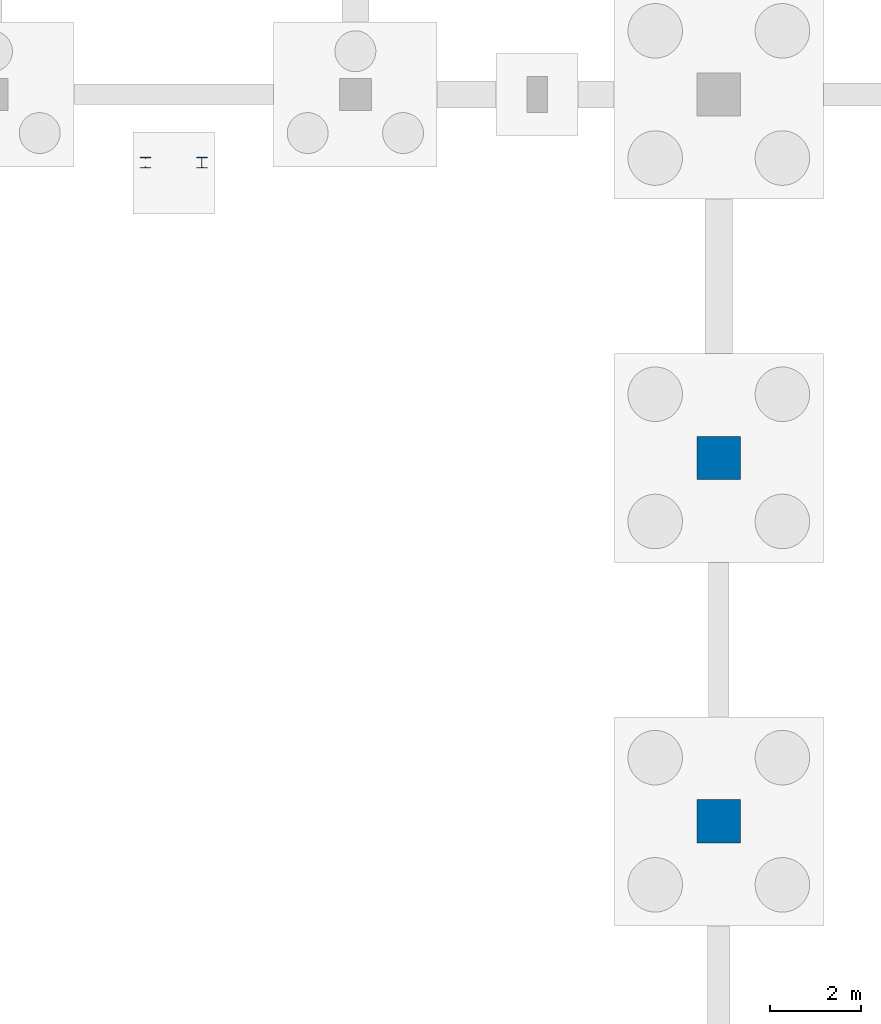
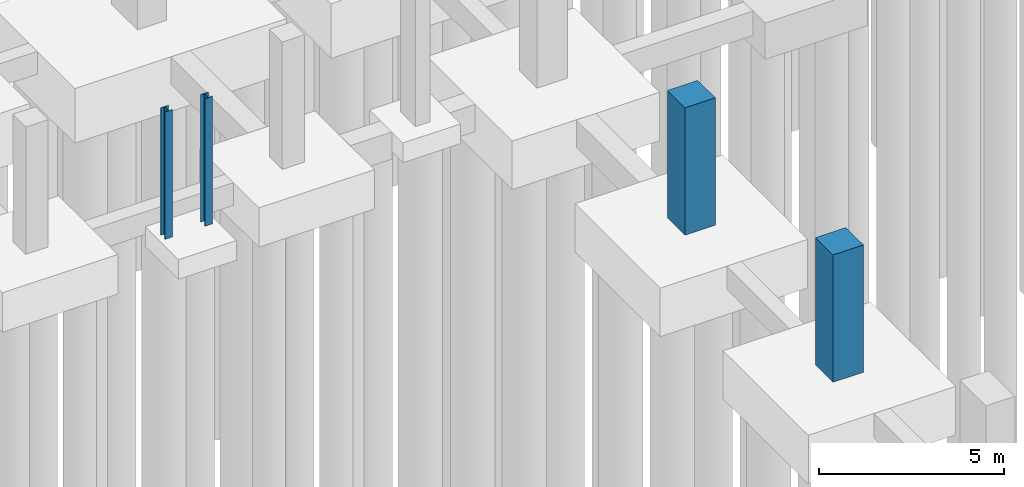
# One storey, part 13 of 32: 4 columns.
"""IFC4 building model written with IfcOpenShell, lengths in metres."""

import ifcopenshell
import ifcopenshell.guid

model = None  # the IFC model being written
_history = None  # IfcOwnerHistory: only IFC2X3 demands one
_inside = {}  # id of a spatial element -> (the spatial element, [elements in it])
_under = {}  # id of a project, library or spatial element -> (it, [spatial elements below it])
_declared = {}  # id of a project -> (the project, [libraries it declares])
_typed = {}  # id of a type object -> (the type object, [elements of that type])
_made_of = {}  # id of a material, layer set ... -> (it, [elements and type objects made of it])


def new_model(schema):
    """Start an empty IFC model of exactly this schema.

    Asked for "IFC4X3", IfcOpenShell would pick the latest addendum, in which some entities
    have other attributes; the version numbers below select the first issue.
    IFC2X3 requires an IfcOwnerHistory on every rooted entity: one is made here for all.
    """
    global model, _history
    if schema == "IFC4X3":
        model = ifcopenshell.file(schema_version=(4, 3, 0, 0))
    else:
        model = ifcopenshell.file(schema=schema)
    _inside.clear()
    _under.clear()
    _declared.clear()
    _typed.clear()
    _made_of.clear()
    _history = None
    if model.schema == "IFC2X3":
        org = make("IfcOrganization", Name="unknown")
        user = make(
            "IfcPersonAndOrganization",
            ThePerson=make("IfcPerson", FamilyName="unknown"),
            TheOrganization=org,
        )
        app = make(
            "IfcApplication",
            ApplicationDeveloper=org,
            Version="unknown",
            ApplicationFullName="unknown",
            ApplicationIdentifier="unknown",
        )
        _history = make(
            "IfcOwnerHistory",
            OwningUser=user,
            OwningApplication=app,
            ChangeAction="ADDED",
            CreationDate=0,
        )
    return model


def make(cls, **values):
    """One entity of the class cls with the attributes given. An attribute that is None is left unset."""
    return model.create_entity(
        cls, **{name: value for name, value in values.items() if value is not None}
    )


def rooted(cls, **values):
    """An entity with a GlobalId (a new one), such as an element, a storey or a relation."""
    return make(cls, GlobalId=ifcopenshell.guid.new(), OwnerHistory=_history, **values)


def si_unit(unit_type, name, prefix=None):
    """IfcSIUnit, for example si_unit("LENGTHUNIT", "METRE", prefix="MILLI")."""
    return make("IfcSIUnit", UnitType=unit_type, Prefix=prefix, Name=name)


def assignment(units):
    """IfcUnitAssignment: the units of a project."""
    return None if units is None else make("IfcUnitAssignment", Units=units)


def point(xyz):
    """IfcCartesianPoint."""
    return None if xyz is None else make("IfcCartesianPoint", Coordinates=xyz)


def direction(xyz):
    """IfcDirection."""
    return None if xyz is None else make("IfcDirection", DirectionRatios=xyz)


def frame(location, z_axis=None, x_axis=None):
    """IfcAxis2Placement3D, a coordinate frame: its origin and axes. An axis left out is left unset."""
    return make(
        "IfcAxis2Placement3D",
        Location=point(location),
        Axis=direction(z_axis),
        RefDirection=direction(x_axis),
    )


def frame_2d(location, x_axis=None):
    """IfcAxis2Placement2D, a coordinate frame in the plane: its origin and x axis."""
    return make(
        "IfcAxis2Placement2D", Location=point(location), RefDirection=direction(x_axis)
    )


def origin():
    """The frame at (0, 0, 0) with its axes left unset."""
    return frame((0.0, 0.0, 0.0))


def origin_2d():
    """The frame at (0, 0) in the plane with its x axis left unset."""
    return frame_2d((0.0, 0.0))


def place(relative_to, where):
    """IfcLocalPlacement: puts the frame where relative to a parent placement (None: the world)."""
    return make(
        "IfcLocalPlacement", PlacementRelTo=relative_to, RelativePlacement=where
    )


def context(
    kind, dimensions, precision=None, world=None, true_north=None, identifier=None
):
    """IfcGeometricRepresentationContext, for example the 3D "Model" context."""
    return make(
        "IfcGeometricRepresentationContext",
        ContextIdentifier=identifier,
        ContextType=kind,
        CoordinateSpaceDimension=dimensions,
        Precision=precision,
        WorldCoordinateSystem=world,
        TrueNorth=true_north,
    )


def subcontext(parent, identifier, kind, view, scale=None):
    """IfcGeometricRepresentationSubContext, for example "Body" below "Model"."""
    return make(
        "IfcGeometricRepresentationSubContext",
        ContextIdentifier=identifier,
        ContextType=kind,
        ParentContext=parent,
        TargetScale=scale,
        TargetView=view,
    )


def project(units=None, contexts=None):
    """IfcProject with its units and contexts."""
    return rooted(
        "IfcProject",
        Name="project",
        RepresentationContexts=contexts,
        UnitsInContext=assignment(units),
    )


def spatial(cls, under=None, at=None, **own):
    """A site, building, storey or space (cls), placed at a placement, below another one or the project."""
    s = rooted(cls, ObjectPlacement=at, **own)
    if under is not None:
        _under.setdefault(under.id(), (under, []))[1].append(s)
    return s


def profile(cls, at=None, kind="AREA", **sizes):
    """A parametric profile (cls). Its sizes go by their IFC names, for example OverallWidth=200.0."""
    return make(cls, ProfileType=kind, Position=at, **sizes)


def rectangle(**sizes):
    """IfcRectangleProfileDef."""
    return profile("IfcRectangleProfileDef", **sizes)


def i_section(**sizes):
    """IfcIShapeProfileDef."""
    return profile("IfcIShapeProfileDef", **sizes)


def extrude(swept, where, along, depth):
    """IfcExtrudedAreaSolid: the profile swept, set in the frame where, extruded along a direction by depth."""
    return make(
        "IfcExtrudedAreaSolid",
        SweptArea=swept,
        Position=where,
        ExtrudedDirection=direction(along),
        Depth=depth,
    )


def shape(context_of_items, identifier, shape_type, items):
    """IfcShapeRepresentation: the items that make up one representation, for example the "Body"."""
    return make(
        "IfcShapeRepresentation",
        ContextOfItems=context_of_items,
        RepresentationIdentifier=identifier,
        RepresentationType=shape_type,
        Items=items,
    )


def material(Name=None, Category=None):
    """IfcMaterial."""
    return make("IfcMaterial", Name=Name, Category=Category)


def material_profile(
    of_material, cross_section, Name=None, Category=None, Priority=None
):
    """IfcMaterialProfile: a cross section and its material."""
    return make(
        "IfcMaterialProfile",
        Name=Name,
        Material=of_material,
        Profile=cross_section,
        Priority=Priority,
        Category=Category,
    )


def profile_set(profiles, Name=None, composite=None):
    """IfcMaterialProfileSet."""
    return make(
        "IfcMaterialProfileSet",
        Name=Name,
        MaterialProfiles=profiles,
        CompositeProfile=composite,
    )


def made_of(thing, what):
    """Note that an element or type object is made of a material, layer set ...; save() writes the relation."""
    if what is not None:
        _made_of.setdefault(what.id(), (what, []))[1].append(thing)
    return thing


def type_object(cls, material=None, **own):
    """A type object (cls), such as IfcWallType, which elements share."""
    return made_of(rooted(cls, **own), material)


def element(
    cls,
    number,
    at=None,
    inside=None,
    cuts=None,
    type_object=None,
    material=None,
    context=None,
    identifier="Body",
    shape_type=None,
    held_by="IfcProductDefinitionShape",
    body=None,
    shapes=None,
    **own,
):
    """One element of the class cls, such as IfcWall. Its Tag is "e" and its number.

    at: its placement. inside: the storey or other place that contains it. cuts: it is an
    opening in that element (IfcRelVoidsElement). A single representation is given by context,
    identifier, shape_type and body (its items); several are given by shapes. held_by: the class
    of the entity that holds the representations. save() writes the other relations.
    """
    e = rooted(cls, Tag="e%d" % number, ObjectPlacement=at, **own)
    if body is not None:
        shapes = [shape(context, identifier, shape_type, body)]
    if shapes is not None:
        e.Representation = make(held_by, Representations=shapes)
    if inside is not None:
        _inside.setdefault(inside.id(), (inside, []))[1].append(e)
    if cuts is not None:
        rooted(
            "IfcRelVoidsElement", RelatingBuildingElement=cuts, RelatedOpeningElement=e
        )
    if type_object is not None:
        _typed.setdefault(type_object.id(), (type_object, []))[1].append(e)
    return made_of(e, material)


def aggregate(whole, parts):
    """IfcRelAggregates: a whole, such as a stair, and the parts it consists of."""
    return rooted("IfcRelAggregates", RelatingObject=whole, RelatedObjects=parts)


def save(model, path):
    """Write the relations noted so far, then the file.

    IfcRelAggregates (storeys below a building ...), IfcRelContainedInSpatialStructure (elements
    in a storey), IfcRelDefinesByType, IfcRelAssociatesMaterial and IfcRelDeclares: one each for
    every whole, place, type object, material and project.
    """
    for whole, parts in _under.values():
        aggregate(whole, parts)
    for where, things in _inside.values():
        rooted(
            "IfcRelContainedInSpatialStructure",
            RelatedElements=things,
            RelatingStructure=where,
        )
    for kind, things in _typed.values():
        rooted("IfcRelDefinesByType", RelatedObjects=things, RelatingType=kind)
    for what, things in _made_of.values():
        rooted("IfcRelAssociatesMaterial", RelatedObjects=things, RelatingMaterial=what)
    for by, libraries in _declared.values():
        rooted("IfcRelDeclares", RelatingContext=by, RelatedDefinitions=libraries)
    model.write(path)


model = new_model("IFC4")

# Units and contexts
model_context = context("Model", 3, precision=1e-05, world=origin(), true_north=direction((0.0, 1.0)))
body_context = subcontext(model_context, "Body", "Model", "MODEL_VIEW")
ifc_project = project(units=[si_unit("LENGTHUNIT", "METRE"), si_unit("AREAUNIT", "SQUARE_METRE"), si_unit("VOLUMEUNIT", "CUBIC_METRE"), si_unit("PLANEANGLEUNIT", "RADIAN"), si_unit("MASSUNIT", "GRAM", prefix="KILO")], contexts=[model_context])

# Site, building, storey
site_placement = place(None, origin())
site = spatial("IfcSite", under=ifc_project, at=site_placement, CompositionType="ELEMENT")
building_placement = place(site_placement, origin())
building = spatial("IfcBuilding", under=site, at=building_placement, Name="Tenunan Teduh Sports Hall", CompositionType="ELEMENT")
storey_placement = place(building_placement, frame((0.0, 0.0, -4.199951171875)))
storey = spatial("IfcBuildingStorey", under=building, at=storey_placement, Name="B1", CompositionType="ELEMENT", Elevation=-4.199951171875)

# Columns
ifc_material_1 = material(Name="Concrete C40/50", Category="concrete")
ifc_material_profile_1 = material_profile(ifc_material_1, rectangle(XDim=0.949951171875, YDim=0.949951171875, at=origin_2d()), Name="RC 950x950")
ifc_profile_set_1 = profile_set([ifc_material_profile_1], Name="Concrete C40/50")
column_type_1 = type_object("IfcColumnType", Name="COL-RC-950", PredefinedType="COLUMN", material=ifc_profile_set_1)
for number, where, z_axis, x_axis, name in (
    (1, (54.0, 22.0, 0.0), (0.0, 0.0, 1.0), (1.0, 0.0, 0.0), "COL-C-02-B1-073"),
    (2, (54.0, 30.0, 0.0), (0.0, 0.0, 1.0), (1.0, 0.0, 0.0), "COL-C-02-B1-074"),
):
    element("IfcColumn", number, at=place(storey_placement, frame(where, z_axis=z_axis, x_axis=x_axis)), inside=storey, type_object=column_type_1, Name=name, PredefinedType="COLUMN", context=body_context, shape_type="SweptSolid", body=[
        extrude(rectangle(XDim=0.949951171875, YDim=0.949951171875, at=origin_2d()), origin(), (0.0, 0.0, 1.0), 4.199951171875),
    ])
ifc_material_2 = material(Name="Steel S355", Category="steel")
ifc_material_profile_2 = material_profile(ifc_material_2, i_section(OverallWidth=0.239990234375, OverallDepth=0.239990234375, WebThickness=0.010009765625, FlangeThickness=0.01708984375, FilletRadius=0.02099609375, at=origin_2d()), Name="HEB 240")
ifc_profile_set_2 = profile_set([ifc_material_profile_2], Name="Steel S355")
column_type_2 = type_object("IfcColumnType", Name="COL-ST-HEB240", PredefinedType="COLUMN", material=ifc_profile_set_2)
for number, where, z_axis, x_axis, name in (
    (3, (41.3798828125, 36.5, 0.0), (0.0, 0.0, 1.0), (1.0, 0.0, 0.0), "COL-SC-04-FST-6-1-B1"),
    (4, (42.6201171875, 36.5, 0.0), (0.0, 0.0, 1.0), (1.0, 0.0, 0.0), "COL-SC-04-FST-6-2-B1"),
):
    element("IfcColumn", number, at=place(storey_placement, frame(where, z_axis=z_axis, x_axis=x_axis)), inside=storey, type_object=column_type_2, Name=name, PredefinedType="COLUMN", context=body_context, shape_type="SweptSolid", body=[
        extrude(i_section(OverallWidth=0.239990234375, OverallDepth=0.239990234375, WebThickness=0.010009765625, FlangeThickness=0.01708984375, FilletRadius=0.02099609375, at=origin_2d()), origin(), (0.0, 0.0, 1.0), 4.199951171875),
    ])

save(model, "model.ifc")
